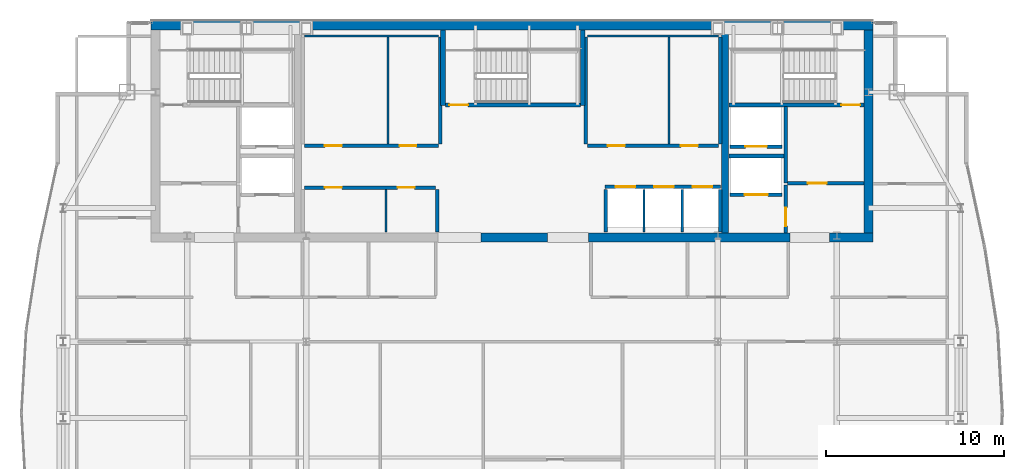
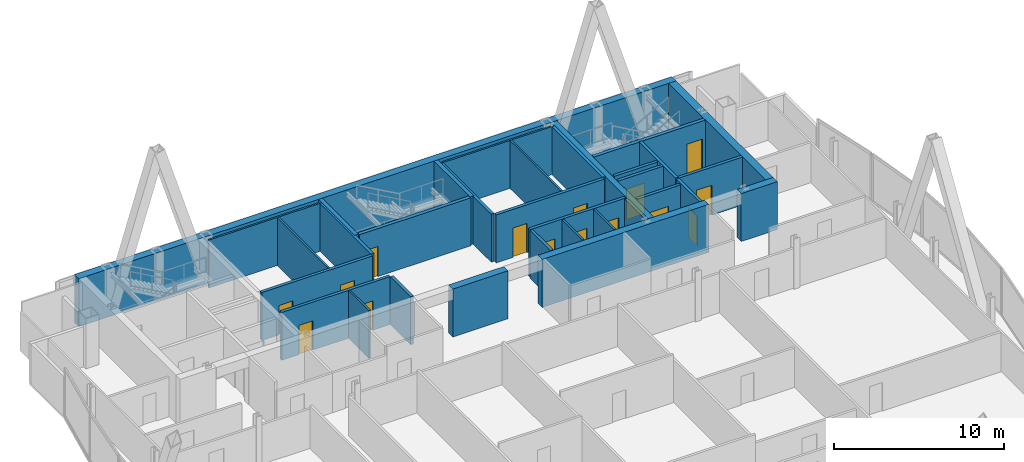
# One storey, part 26 of 29: 33 walls, 15 doors, 15 openings.
"""IFC4 building model written with IfcOpenShell, lengths in metres."""

from ifc_helpers import new_model, si_unit, direction, frame, frame_2d, origin, place, context, subcontext, project, spatial, rectangle, extrude, material, layer, layer_set, type_object, element, fill, save


model = new_model("IFC4")

# Units and contexts
model_context = context("Model", 3, precision=1e-05, world=origin(), true_north=direction((0.0, 1.0)))
body_context = subcontext(model_context, "Body", "Model", "MODEL_VIEW")
ifc_project = project(units=[si_unit("LENGTHUNIT", "METRE"), si_unit("AREAUNIT", "SQUARE_METRE"), si_unit("VOLUMEUNIT", "CUBIC_METRE"), si_unit("PLANEANGLEUNIT", "RADIAN"), si_unit("MASSUNIT", "GRAM", prefix="KILO")], contexts=[model_context])

# Site, building, storey
site_placement = place(None, origin())
site = spatial("IfcSite", under=ifc_project, at=site_placement, CompositionType="ELEMENT")
building_placement = place(site_placement, origin())
building = spatial("IfcBuilding", under=site, at=building_placement, Name="Khoronbel Lancet Exchange", CompositionType="ELEMENT")
storey_placement = place(building_placement, frame((0.0, 0.0, 314.60009765625)))
storey = spatial("IfcBuildingStorey", under=building, at=storey_placement, Name="L81", CompositionType="ELEMENT", Elevation=314.60009765625)

# Walls
ifc_material_1 = material(Name="Concrete C60/75", Category="concrete")
ifc_layer_1 = layer(ifc_material_1, 0.5, Name="Concrete C60/75")
ifc_layer_set_1 = layer_set([ifc_layer_1], Name="Concrete C60/75")
wall_type_1 = type_object("IfcWallType", Name="WL-CW4", PredefinedType="SHEAR", material=ifc_layer_set_1)
wall_1_placement = place(storey_placement, frame((16.199951171875, 53.449951171875, 0.0), z_axis=(0.0, 0.0, 1.0), x_axis=(1.0, 0.0, 0.0)))
element("IfcWall", 1, at=wall_1_placement, inside=storey, type_object=wall_type_1, Name="Level L81 rear core north shear wall", PredefinedType="SHEAR", context=body_context, shape_type="SweptSolid", body=[
    extrude(rectangle(XDim=40.5, YDim=0.5, at=frame_2d((20.25, 0.0))), origin(), (0.0, 0.0, 1.0), 3.43994140625),
])
wall_2_placement = place(storey_placement, frame((56.449951171875, 53.199951171875, 0.0), z_axis=(0.0, 0.0, 1.0), x_axis=(0.0, -1.0, 0.0)))
element("IfcWall", 2, at=wall_2_placement, inside=storey, type_object=wall_type_1, Name="Level L81 rear core east shear wall", PredefinedType="SHEAR", context=body_context, shape_type="SweptSolid", body=[
    extrude(rectangle(XDim=11.39990234375, YDim=0.5, at=frame_2d((5.699951171875, 0.0))), origin(), (0.0, 0.0, 1.0), 3.43994140625),
])
wall_3_placement = place(storey_placement, frame((38.449951171875, 41.550048828125, 0.0), z_axis=(0.0, 0.0, 1.0), x_axis=(-1.0, 0.0, 0.0)))
element("IfcWall", 3, at=wall_3_placement, inside=storey, type_object=wall_type_1, Name="Level L81 rear core south shear wall pier P3", PredefinedType="SHEAR", context=body_context, shape_type="SweptSolid", body=[
    extrude(rectangle(XDim=3.75, YDim=0.5, at=frame_2d((1.875, 0.0))), origin(), (0.0, 0.0, 1.0), 3.43994140625),
])
wall_4_placement = place(storey_placement, frame((52.050048828125, 41.550048828125, 0.0), z_axis=(0.0, 0.0, 1.0), x_axis=(-1.0, 0.0, 0.0)))
element("IfcWall", 4, at=wall_4_placement, inside=storey, type_object=wall_type_1, Name="Level L81 rear core south shear wall pier P4", PredefinedType="SHEAR", context=body_context, shape_type="SweptSolid", body=[
    extrude(rectangle(XDim=11.300048828125, YDim=0.5, at=frame_2d((5.64990234375, 0.0))), origin(), (0.0, 0.0, 1.0), 3.43994140625),
])
wall_5_placement = place(storey_placement, frame((56.699951171875, 41.550048828125, 0.0), z_axis=(0.0, 0.0, 1.0), x_axis=(-1.0, 0.0, 0.0)))
element("IfcWall", 5, at=wall_5_placement, inside=storey, type_object=wall_type_1, Name="Level L81 rear core south shear wall pier P5", PredefinedType="SHEAR", context=body_context, shape_type="SweptSolid", body=[
    extrude(rectangle(XDim=2.449951171875, YDim=0.5, at=frame_2d((1.22509765625, 0.0))), origin(), (0.0, 0.0, 1.0), 3.43994140625),
])
ifc_material_2 = material(Name="Fire-Rated Metal-Stud & Mineral-Wool Gypsum Partition 120 mm", Category="gypsum")
ifc_layer_2 = layer(ifc_material_2, 0.1201171875, Name="Fire-Rated Metal-Stud & Mineral-Wool Gypsum Partition 120 mm")
ifc_layer_set_2 = layer_set([ifc_layer_2], Name="Fire-Rated Metal-Stud & Mineral-Wool Gypsum Partition 120 mm")
wall_type_2 = type_object("IfcWallType", Name="WL-PRT120F", PredefinedType="PARTITIONING", material=ifc_layer_set_2)
wall_6_placement = place(storey_placement, frame((24.804931640625, 52.860107421875, 0.0), z_axis=(0.0, 0.0, 1.0), x_axis=(1.0, 0.0, 0.0)))
element("IfcWall", 6, at=wall_6_placement, inside=storey, type_object=wall_type_2, Name="Level L81 interior partition CW-PL-RN", PredefinedType="PARTITIONING", context=body_context, shape_type="SweptSolid", body=[
    extrude(rectangle(XDim=7.510009765625, YDim=0.1201171875, at=frame_2d((3.7548828125, 0.0))), origin(), (0.0, 0.0, 1.0), 3.43994140625),
])
wall_7_placement = place(storey_placement, frame((29.486328125, 46.804931640625, 0.0), z_axis=(0.0, 0.0, 1.0), x_axis=(0.0, 1.0, 0.0)))
element("IfcWall", 7, at=wall_7_placement, inside=storey, type_object=wall_type_2, Name="Level L81 interior partition CW-PL-RS2", PredefinedType="PARTITIONING", context=body_context, shape_type="SweptSolid", body=[
    extrude(rectangle(XDim=5.989990234375, YDim=0.1201171875, at=frame_2d((2.9951171875, 0.0))), origin(), (0.0, 0.0, 1.0), 3.43994140625),
])
wall_8_placement = place(storey_placement, frame((29.381103515625, 41.85009765625, 0.0), z_axis=(0.0, 0.0, 1.0), x_axis=(0.0, 1.0, 0.0)))
element("IfcWall", 8, at=wall_8_placement, inside=storey, type_object=wall_type_2, Name="Level L81 interior partition CW-PM-RS2", PredefinedType="PARTITIONING", context=body_context, shape_type="SweptSolid", body=[
    extrude(rectangle(XDim=2.39501953125, YDim=0.1201171875, at=frame_2d((1.197509765625, 0.0))), origin(), (0.0, 0.0, 1.0), 3.43994140625),
])
wall_9_placement = place(storey_placement, frame((40.68505859375, 52.860107421875, 0.0), z_axis=(0.0, 0.0, 1.0), x_axis=(1.0, 0.0, 0.0)))
element("IfcWall", 9, at=wall_9_placement, inside=storey, type_object=wall_type_2, Name="Level L81 interior partition CW-PH-RN", PredefinedType="PARTITIONING", context=body_context, shape_type="SweptSolid", body=[
    extrude(rectangle(XDim=7.349853515625, YDim=0.1201171875, at=frame_2d((3.6748046875, 0.0))), origin(), (0.0, 0.0, 1.0), 3.43994140625),
])
wall_10_placement = place(storey_placement, frame((45.26708984375, 46.804931640625, 0.0), z_axis=(0.0, 0.0, 1.0), x_axis=(0.0, 1.0, 0.0)))
element("IfcWall", 10, at=wall_10_placement, inside=storey, type_object=wall_type_2, Name="Level L81 interior partition CW-PH-RS2", PredefinedType="PARTITIONING", context=body_context, shape_type="SweptSolid", body=[
    extrude(rectangle(XDim=5.989990234375, YDim=0.1201171875, at=frame_2d((2.9951171875, 0.0))), origin(), (0.0, 0.0, 1.0), 3.43994140625),
])
for number, where, z_axis, x_axis, name in (
    (11, (43.860107421875, 41.85009765625, 0.0), (0.0, 0.0, 1.0), (0.0, 1.0, 0.0), "Level L81 interior partition CW-PX-D1"),
    (12, (46.0, 41.85009765625, 0.0), (0.0, 0.0, 1.0), (0.0, 1.0, 0.0), "Level L81 interior partition CW-PX-D2"),
):
    element("IfcWall", number, at=place(storey_placement, frame(where, z_axis=z_axis, x_axis=x_axis)), inside=storey, type_object=wall_type_2, Name=name, PredefinedType="PARTITIONING", context=body_context, shape_type="SweptSolid", body=[
        extrude(rectangle(XDim=2.39990234375, YDim=0.1201171875, at=frame_2d((1.199951171875, 0.0))), origin(), (0.0, 0.0, 1.0), 3.43994140625),
    ])

# Wall, openings, doors
ifc_material_3 = material(Name="Autoclaved Aerated Concrete Blockwork 200 mm", Category="masonry")
ifc_layer_3 = layer(ifc_material_3, 0.199951171875, Name="Autoclaved Aerated Concrete Blockwork 200 mm")
ifc_layer_set_3 = layer_set([ifc_layer_3], Name="Autoclaved Aerated Concrete Blockwork 200 mm")
wall_type_3 = type_object("IfcWallType", Name="WL-PRT200", PredefinedType="PARTITIONING", material=ifc_layer_set_3)
wall_11_placement = place(storey_placement, frame((41.679931640625, 44.39990234375, 0.0), z_axis=(0.0, 0.0, 1.0), x_axis=(1.0, 0.0, 0.0)))
wall_11 = element("IfcWall", 13, at=wall_11_placement, inside=storey, type_object=wall_type_3, Name="Level L81 elevator hoistway landing front wall PXE", PredefinedType="PARTITIONING", context=body_context, shape_type="SweptSolid", body=[
    extrude(rectangle(XDim=6.47998046875, YDim=0.199951171875, at=frame_2d((3.239990234375, 0.0))), origin(), (0.0, 0.0, 1.0), 3.43994140625),
])
opening_1_placement = place(wall_11_placement, frame((0.580078125, 0.0, 0.0)))
opening_1 = element("IfcOpeningElement", 14, at=opening_1_placement, cuts=wall_11, Name="Opening LD-PX1", PredefinedType="OPENING", context=body_context, shape_type="SweptSolid", body=[
    extrude(rectangle(XDim=1.10009765625, YDim=2.179931640625, at=frame_2d((0.550048828125, 1.08984375))), frame((0.0, 0.10986328125, 0.0), z_axis=(0.0, -1.0, 0.0), x_axis=(1.0, 0.0, 0.0)), (0.0, 0.0, 1.0), 0.219970703125),
])
opening_2_placement = place(wall_11_placement, frame((2.739990234375, 0.0, 0.0)))
opening_2 = element("IfcOpeningElement", 15, at=opening_2_placement, cuts=wall_11, Name="Opening LD-PX2", PredefinedType="OPENING", context=body_context, shape_type="SweptSolid", body=[
    extrude(rectangle(XDim=1.10009765625, YDim=2.179931640625, at=frame_2d((0.550048828125, 1.08984375))), frame((0.0, 0.10986328125, 0.0), z_axis=(0.0, -1.0, 0.0), x_axis=(1.0, 0.0, 0.0)), (0.0, 0.0, 1.0), 0.219970703125),
])
opening_3_placement = place(wall_11_placement, frame((4.89990234375, 0.0, 0.0)))
opening_3 = element("IfcOpeningElement", 16, at=opening_3_placement, cuts=wall_11, Name="Opening LD-PX3", PredefinedType="OPENING", context=body_context, shape_type="SweptSolid", body=[
    extrude(rectangle(XDim=1.10009765625, YDim=2.179931640625, at=frame_2d((0.550048828125, 1.08984375))), frame((0.0, 0.10986328125, 0.0), z_axis=(0.0, -1.0, 0.0), x_axis=(1.0, 0.0, 0.0)), (0.0, 0.0, 1.0), 0.219970703125),
])
ifc_material_4 = material(Name="Brushed Bronze Bi-Parting Elevator Landing Door", Category="steel")
door_type_1 = type_object("IfcDoorType", Name="DR-LD-PAX", OperationType="NOTDEFINED", PredefinedType="DOOR", material=ifc_material_4)
door_1_placement = place(opening_1_placement, origin())
door_1 = element("IfcDoor", 17, at=door_1_placement, inside=storey, type_object=door_type_1, Name="Elevator landing sliding door LD-PX1 L81", OperationType="SLIDING_TO_LEFT", OverallHeight=2.179931640625, OverallWidth=1.10009765625, PredefinedType="DOOR", context=body_context, shape_type="SweptSolid", body=[
    extrude(rectangle(XDim=1.10009765625, YDim=2.179931640625, at=frame_2d((0.550048828125, 1.08984375))), frame((0.0, 0.02490234375, 0.0), z_axis=(0.0, -1.0, 0.0), x_axis=(1.0, 0.0, 0.0)), (0.0, 0.0, 1.0), 0.050048828125),
])
fill(opening_1, door_1)
door_2_placement = place(opening_2_placement, origin())
door_2 = element("IfcDoor", 18, at=door_2_placement, inside=storey, type_object=door_type_1, Name="Elevator landing sliding door LD-PX2 L81", OperationType="SLIDING_TO_LEFT", OverallHeight=2.179931640625, OverallWidth=1.10009765625, PredefinedType="DOOR", context=body_context, shape_type="SweptSolid", body=[
    extrude(rectangle(XDim=1.10009765625, YDim=2.179931640625, at=frame_2d((0.550048828125, 1.08984375))), frame((0.0, 0.02490234375, 0.0), z_axis=(0.0, -1.0, 0.0), x_axis=(1.0, 0.0, 0.0)), (0.0, 0.0, 1.0), 0.050048828125),
])
fill(opening_2, door_2)
door_3_placement = place(opening_3_placement, origin())
door_3 = element("IfcDoor", 19, at=door_3_placement, inside=storey, type_object=door_type_1, Name="Elevator landing sliding door LD-PX3 L81", OperationType="SLIDING_TO_LEFT", OverallHeight=2.179931640625, OverallWidth=1.10009765625, PredefinedType="DOOR", context=body_context, shape_type="SweptSolid", body=[
    extrude(rectangle(XDim=1.10009765625, YDim=2.179931640625, at=frame_2d((0.550048828125, 1.08984375))), frame((0.0, 0.02490234375, 0.0), z_axis=(0.0, -1.0, 0.0), x_axis=(1.0, 0.0, 0.0)), (0.0, 0.0, 1.0), 0.050048828125),
])
fill(opening_3, door_3)

# Wall, opening, door
wall_12_placement = place(storey_placement, frame((51.610107421875, 43.949951171875, 0.0), z_axis=(0.0, 0.0, 1.0), x_axis=(-1.0, 0.0, 0.0)))
wall_12 = element("IfcWall", 20, at=wall_12_placement, inside=storey, type_object=wall_type_3, Name="Level L81 elevator hoistway landing front wall SVLE", PredefinedType="PARTITIONING", context=body_context, shape_type="SweptSolid", body=[
    extrude(rectangle(XDim=2.920166015625, YDim=0.199951171875, at=frame_2d((1.4599609375, 0.0))), origin(), (0.0, 0.0, 1.0), 3.43994140625),
])
opening_4_placement = place(wall_12_placement, frame((0.81005859375, 0.0, 0.0)))
opening_4 = element("IfcOpeningElement", 21, at=opening_4_placement, cuts=wall_12, Name="Opening LD-SVL2", PredefinedType="OPENING", context=body_context, shape_type="SweptSolid", body=[
    extrude(rectangle(XDim=1.300048828125, YDim=2.179931640625, at=frame_2d((0.64990234375, 1.08984375))), frame((0.0, 0.10986328125, 0.0), z_axis=(0.0, -1.0, 0.0), x_axis=(1.0, 0.0, 0.0)), (0.0, 0.0, 1.0), 0.219970703125),
])
ifc_material_5 = material(Name="Heavy-Duty Bi-Parting Goods Lift Landing Door", Category="steel")
door_type_2 = type_object("IfcDoorType", Name="DR-LD-SVL", OperationType="NOTDEFINED", PredefinedType="DOOR", material=ifc_material_5)
door_4_placement = place(opening_4_placement, origin())
door_4 = element("IfcDoor", 22, at=door_4_placement, inside=storey, type_object=door_type_2, Name="Elevator landing sliding door LD-SVL2 L81", OperationType="SLIDING_TO_LEFT", OverallHeight=2.179931640625, OverallWidth=1.300048828125, PredefinedType="DOOR", context=body_context, shape_type="SweptSolid", body=[
    extrude(rectangle(XDim=1.300048828125, YDim=2.179931640625, at=frame_2d((0.64990234375, 1.08984375))), frame((0.0, 0.02490234375, 0.0), z_axis=(0.0, -1.0, 0.0), x_axis=(1.0, 0.0, 0.0)), (0.0, 0.0, 1.0), 0.050048828125),
])
fill(opening_4, door_4)

wall_13_placement = place(storey_placement, frame((51.610107421875, 46.64990234375, 0.0), z_axis=(0.0, 0.0, 1.0), x_axis=(-1.0, 0.0, 0.0)))
wall_13 = element("IfcWall", 23, at=wall_13_placement, inside=storey, type_object=wall_type_3, Name="Level L81 elevator hoistway landing front wall FFLE", PredefinedType="PARTITIONING", context=body_context, shape_type="SweptSolid", body=[
    extrude(rectangle(XDim=2.920166015625, YDim=0.199951171875, at=frame_2d((1.4599609375, 0.0))), origin(), (0.0, 0.0, 1.0), 3.43994140625),
])
opening_5_placement = place(wall_13_placement, frame((0.860107421875, 0.0, 0.0)))
opening_5 = element("IfcOpeningElement", 24, at=opening_5_placement, cuts=wall_13, Name="Opening LD-FFL2", PredefinedType="OPENING", context=body_context, shape_type="SweptSolid", body=[
    extrude(rectangle(XDim=1.199951171875, YDim=2.179931640625, at=frame_2d((0.60009765625, 1.08984375))), frame((0.0, 0.10986328125, 0.0), z_axis=(0.0, -1.0, 0.0), x_axis=(1.0, 0.0, 0.0)), (0.0, 0.0, 1.0), 0.219970703125),
])
ifc_material_6 = material(Name="Fire-Rated Stainless Bi-Parting Firefighting Lift Door", Category="steel")
door_type_3 = type_object("IfcDoorType", Name="DR-LD-FFL", OperationType="NOTDEFINED", PredefinedType="DOOR", material=ifc_material_6)
door_5_placement = place(opening_5_placement, origin())
door_5 = element("IfcDoor", 25, at=door_5_placement, inside=storey, type_object=door_type_3, Name="Elevator landing sliding door LD-FFL2 L81", OperationType="SLIDING_TO_LEFT", OverallHeight=2.179931640625, OverallWidth=1.199951171875, PredefinedType="DOOR", context=body_context, shape_type="SweptSolid", body=[
    extrude(rectangle(XDim=1.199951171875, YDim=2.179931640625, at=frame_2d((0.60009765625, 1.08984375))), frame((0.0, 0.02490234375, 0.0), z_axis=(0.0, -1.0, 0.0), x_axis=(1.0, 0.0, 0.0)), (0.0, 0.0, 1.0), 0.050048828125),
])
fill(opening_5, door_5)

# Wall
wall_14_placement = place(storey_placement, frame((51.800048828125, 44.60009765625, 0.0), z_axis=(0.0, 0.0, 1.0), x_axis=(0.0, 1.0, 0.0)))
element("IfcWall", 26, at=wall_14_placement, inside=storey, type_object=wall_type_3, Name="Level L81 interior partition CW-FFLE-W", PredefinedType="PARTITIONING", context=body_context, shape_type="SweptSolid", body=[
    extrude(rectangle(XDim=4.2998046875, YDim=0.199951171875, at=frame_2d((2.14990234375, 0.0))), origin(), (0.0, 0.0, 1.0), 3.43994140625),
])

# Wall, opening, door
wall_15_placement = place(storey_placement, frame((51.89990234375, 44.60009765625, 0.0), z_axis=(0.0, 0.0, 1.0), x_axis=(1.0, 0.0, 0.0)))
wall_15 = element("IfcWall", 27, at=wall_15_placement, inside=storey, type_object=wall_type_3, Name="Level L81 interior partition CW-FFLE-S", PredefinedType="PARTITIONING", context=body_context, shape_type="SweptSolid", body=[
    extrude(rectangle(XDim=4.300048828125, YDim=0.199951171875, at=frame_2d((2.14990234375, 0.0))), origin(), (0.0, 0.0, 1.0), 3.43994140625),
])
opening_6_placement = place(wall_15_placement, frame((1.14990234375, 0.0, 0.0)))
opening_6 = element("IfcOpeningElement", 28, at=opening_6_placement, cuts=wall_15, Name="Opening FD1", PredefinedType="OPENING", context=body_context, shape_type="SweptSolid", body=[
    extrude(rectangle(XDim=1.050048828125, YDim=2.14990234375, at=frame_2d((0.52490234375, 1.074951171875))), frame((0.0, 0.10986328125, 0.0), z_axis=(0.0, -1.0, 0.0), x_axis=(1.0, 0.0, 0.0)), (0.0, 0.0, 1.0), 0.219970703125),
])
ifc_material_7 = material(Name="Fire-Rated Painted Steel Door Assembly", Category="steel")
door_type_4 = type_object("IfcDoorType", Name="DR-FD1", OperationType="NOTDEFINED", PredefinedType="DOOR", material=ifc_material_7)
door_6_placement = place(opening_6_placement, origin())
door_6 = element("IfcDoor", 29, at=door_6_placement, inside=storey, type_object=door_type_4, Name="East firefighting lobby FD90S door L81-1", OperationType="SINGLE_SWING_LEFT", OverallHeight=2.14990234375, OverallWidth=1.050048828125, PredefinedType="DOOR", context=body_context, shape_type="SweptSolid", body=[
    extrude(rectangle(XDim=1.050048828125, YDim=2.14990234375, at=frame_2d((0.52490234375, 1.074951171875))), frame((0.0, 0.02490234375, 0.0), z_axis=(0.0, -1.0, 0.0), x_axis=(1.0, 0.0, 0.0)), (0.0, 0.0, 1.0), 0.050048828125),
])
fill(opening_6, door_6)

# Wall
wall_16_placement = place(storey_placement, frame((48.6298828125, 46.1201171875, 0.0), z_axis=(0.0, 0.0, 1.0), x_axis=(1.0, 0.0, 0.0)))
element("IfcWall", 30, at=wall_16_placement, inside=storey, type_object=wall_type_3, Name="Level L81 interior partition CW-FFL2-S", PredefinedType="PARTITIONING", context=body_context, shape_type="SweptSolid", body=[
    extrude(rectangle(XDim=3.070068359375, YDim=0.199951171875, at=frame_2d((1.53515625, 0.0))), origin(), (0.0, 0.0, 1.0), 3.43994140625),
])

# Wall, opening, door
wall_17_placement = place(storey_placement, frame((51.800048828125, 41.800048828125, 0.0), z_axis=(0.0, 0.0, 1.0), x_axis=(0.0, 1.0, 0.0)))
wall_17 = element("IfcWall", 31, at=wall_17_placement, inside=storey, type_object=wall_type_3, Name="Level L81 interior partition CW-SVLE-E", PredefinedType="PARTITIONING", context=body_context, shape_type="SweptSolid", body=[
    extrude(rectangle(XDim=2.695068359375, YDim=0.199951171875, at=frame_2d((1.34765625, 0.0))), origin(), (0.0, 0.0, 1.0), 3.43994140625),
])
opening_7_placement = place(wall_17_placement, frame((0.3798828125, 0.0, 0.0)))
opening_7 = element("IfcOpeningElement", 32, at=opening_7_placement, cuts=wall_17, Name="Opening FD1", PredefinedType="OPENING", context=body_context, shape_type="SweptSolid", body=[
    extrude(rectangle(XDim=1.050048828125, YDim=2.14990234375, at=frame_2d((0.52490234375, 1.074951171875))), frame((0.0, 0.10986328125, 0.0), z_axis=(0.0, -1.0, 0.0), x_axis=(1.0, 0.0, 0.0)), (0.0, 0.0, 1.0), 0.219970703125),
])
door_7_placement = place(opening_7_placement, origin())
door_7 = element("IfcDoor", 33, at=door_7_placement, inside=storey, type_object=door_type_4, Name="East service lift lobby door L81-1", OperationType="SINGLE_SWING_RIGHT", OverallHeight=2.14990234375, OverallWidth=1.050048828125, PredefinedType="DOOR", context=body_context, shape_type="SweptSolid", body=[
    extrude(rectangle(XDim=1.050048828125, YDim=2.14990234375, at=frame_2d((0.52490234375, 1.074951171875))), frame((0.0, 0.02490234375, 0.0), z_axis=(0.0, -1.0, 0.0), x_axis=(1.0, 0.0, 0.0)), (0.0, 0.0, 1.0), 0.050048828125),
])
fill(opening_7, door_7)

# Wall
wall_18_placement = place(storey_placement, frame((32.419921875, 46.804931640625, 0.0), z_axis=(0.0, 0.0, 1.0), x_axis=(0.0, 1.0, 0.0)))
element("IfcWall", 34, at=wall_18_placement, inside=storey, type_object=wall_type_3, Name="Level L81 interior partition CW-PL-RE", PredefinedType="PARTITIONING", context=body_context, shape_type="SweptSolid", body=[
    extrude(rectangle(XDim=5.989990234375, YDim=0.199951171875, at=frame_2d((2.9951171875, 0.0))), origin(), (0.0, 0.0, 1.0), 3.43994140625),
])

# Wall, openings, doors
wall_19_placement = place(storey_placement, frame((24.804931640625, 46.699951171875, 0.0), z_axis=(0.0, 0.0, 1.0), x_axis=(1.0, 0.0, 0.0)))
wall_19 = element("IfcWall", 35, at=wall_19_placement, inside=storey, type_object=wall_type_3, Name="Level L81 interior partition CW-PL-RF", PredefinedType="PARTITIONING", context=body_context, shape_type="SweptSolid", body=[
    extrude(rectangle(XDim=7.510009765625, YDim=0.199951171875, at=frame_2d((3.7548828125, 0.0))), origin(), (0.0, 0.0, 1.0), 3.43994140625),
])
opening_8_placement = place(wall_19_placement, frame((1.14990234375, 0.0, 0.0)))
opening_8 = element("IfcOpeningElement", 36, at=opening_8_placement, cuts=wall_19, Name="Opening FD3", PredefinedType="OPENING", context=body_context, shape_type="SweptSolid", body=[
    extrude(rectangle(XDim=0.949951171875, YDim=2.10009765625, at=frame_2d((0.47509765625, 1.050048828125))), frame((0.0, 0.10986328125, 0.0), z_axis=(0.0, -1.0, 0.0), x_axis=(1.0, 0.0, 0.0)), (0.0, 0.0, 1.0), 0.219970703125),
])
opening_9_placement = place(wall_19_placement, frame((5.33642578125, 0.0, 0.0)))
opening_9 = element("IfcOpeningElement", 37, at=opening_9_placement, cuts=wall_19, Name="Opening FD3", PredefinedType="OPENING", context=body_context, shape_type="SweptSolid", body=[
    extrude(rectangle(XDim=0.949951171875, YDim=2.10009765625, at=frame_2d((0.47509765625, 1.050048828125))), frame((0.0, 0.10986328125, 0.0), z_axis=(0.0, -1.0, 0.0), x_axis=(1.0, 0.0, 0.0)), (0.0, 0.0, 1.0), 0.219970703125),
])
ifc_material_8 = material(Name="Fire-Rated Steel Plant & Riser Door Assembly", Category="steel")
door_type_5 = type_object("IfcDoorType", Name="DR-FD3", OperationType="NOTDEFINED", PredefinedType="DOOR", material=ifc_material_8)
door_8_placement = place(opening_8_placement, origin())
door_8 = element("IfcDoor", 38, at=door_8_placement, inside=storey, type_object=door_type_5, Name="Reclaimed PL C door L81-1", OperationType="SINGLE_SWING_LEFT", OverallHeight=2.10009765625, OverallWidth=0.949951171875, PredefinedType="DOOR", context=body_context, shape_type="SweptSolid", body=[
    extrude(rectangle(XDim=0.949951171875, YDim=2.10009765625, at=frame_2d((0.47509765625, 1.050048828125))), frame((0.0, 0.02490234375, 0.0), z_axis=(0.0, -1.0, 0.0), x_axis=(1.0, 0.0, 0.0)), (0.0, 0.0, 1.0), 0.050048828125),
])
fill(opening_8, door_8)
door_9_placement = place(opening_9_placement, origin())
door_9 = element("IfcDoor", 39, at=door_9_placement, inside=storey, type_object=door_type_5, Name="Reclaimed PL D door L81-2", OperationType="SINGLE_SWING_RIGHT", OverallHeight=2.10009765625, OverallWidth=0.949951171875, PredefinedType="DOOR", context=body_context, shape_type="SweptSolid", body=[
    extrude(rectangle(XDim=0.949951171875, YDim=2.10009765625, at=frame_2d((0.47509765625, 1.050048828125))), frame((0.0, 0.02490234375, 0.0), z_axis=(0.0, -1.0, 0.0), x_axis=(1.0, 0.0, 0.0)), (0.0, 0.0, 1.0), 0.050048828125),
])
fill(opening_9, door_9)

# Wall
wall_20_placement = place(storey_placement, frame((32.25, 41.85009765625, 0.0), z_axis=(0.0, 0.0, 1.0), x_axis=(0.0, 1.0, 0.0)))
element("IfcWall", 40, at=wall_20_placement, inside=storey, type_object=wall_type_3, Name="Level L81 interior partition CW-PM-RE", PredefinedType="PARTITIONING", context=body_context, shape_type="SweptSolid", body=[
    extrude(rectangle(XDim=2.39501953125, YDim=0.199951171875, at=frame_2d((1.197509765625, 0.0))), origin(), (0.0, 0.0, 1.0), 3.43994140625),
])

# Wall, openings, doors
wall_21_placement = place(storey_placement, frame((24.804931640625, 44.35009765625, 0.0), z_axis=(0.0, 0.0, 1.0), x_axis=(1.0, 0.0, 0.0)))
wall_21 = element("IfcWall", 41, at=wall_21_placement, inside=storey, type_object=wall_type_3, Name="Level L81 interior partition CW-PM-RF", PredefinedType="PARTITIONING", context=body_context, shape_type="SweptSolid", body=[
    extrude(rectangle(XDim=7.340087890625, YDim=0.199951171875, at=frame_2d((3.669921875, 0.0))), origin(), (0.0, 0.0, 1.0), 3.43994140625),
])
opening_10_placement = place(wall_21_placement, frame((1.14990234375, 0.0, 0.0)))
opening_10 = element("IfcOpeningElement", 42, at=opening_10_placement, cuts=wall_21, Name="Opening FD3", PredefinedType="OPENING", context=body_context, shape_type="SweptSolid", body=[
    extrude(rectangle(XDim=0.949951171875, YDim=2.10009765625, at=frame_2d((0.47509765625, 1.050048828125))), frame((0.0, 0.10986328125, 0.0), z_axis=(0.0, -1.0, 0.0), x_axis=(1.0, 0.0, 0.0)), (0.0, 0.0, 1.0), 0.219970703125),
])
opening_11_placement = place(wall_21_placement, frame((5.23095703125, 0.0, 0.0)))
opening_11 = element("IfcOpeningElement", 43, at=opening_11_placement, cuts=wall_21, Name="Opening FD3", PredefinedType="OPENING", context=body_context, shape_type="SweptSolid", body=[
    extrude(rectangle(XDim=0.949951171875, YDim=2.10009765625, at=frame_2d((0.47509765625, 1.050048828125))), frame((0.0, 0.10986328125, 0.0), z_axis=(0.0, -1.0, 0.0), x_axis=(1.0, 0.0, 0.0)), (0.0, 0.0, 1.0), 0.219970703125),
])
door_10_placement = place(opening_10_placement, origin())
door_10 = element("IfcDoor", 44, at=door_10_placement, inside=storey, type_object=door_type_5, Name="Reclaimed PM C door L81-1", OperationType="SINGLE_SWING_LEFT", OverallHeight=2.10009765625, OverallWidth=0.949951171875, PredefinedType="DOOR", context=body_context, shape_type="SweptSolid", body=[
    extrude(rectangle(XDim=0.949951171875, YDim=2.10009765625, at=frame_2d((0.47509765625, 1.050048828125))), frame((0.0, 0.02490234375, 0.0), z_axis=(0.0, -1.0, 0.0), x_axis=(1.0, 0.0, 0.0)), (0.0, 0.0, 1.0), 0.050048828125),
])
fill(opening_10, door_10)
door_11_placement = place(opening_11_placement, origin())
door_11 = element("IfcDoor", 45, at=door_11_placement, inside=storey, type_object=door_type_5, Name="Reclaimed PM D door L81-2", OperationType="SINGLE_SWING_RIGHT", OverallHeight=2.10009765625, OverallWidth=0.949951171875, PredefinedType="DOOR", context=body_context, shape_type="SweptSolid", body=[
    extrude(rectangle(XDim=0.949951171875, YDim=2.10009765625, at=frame_2d((0.47509765625, 1.050048828125))), frame((0.0, 0.02490234375, 0.0), z_axis=(0.0, -1.0, 0.0), x_axis=(1.0, 0.0, 0.0)), (0.0, 0.0, 1.0), 0.050048828125),
])
fill(opening_11, door_11)

# Walls
for number, where, z_axis, x_axis, name in (
    (46, (40.580078125, 46.804931640625, 0.0), (0.0, 0.0, 1.0), (0.0, 1.0, 0.0), "Level L81 interior partition CW-PH-RW"),
    (47, (48.139892578125, 46.804931640625, 0.0), (0.0, 0.0, 1.0), (0.0, 1.0, 0.0), "Level L81 interior partition CW-PH-RE"),
):
    element("IfcWall", number, at=place(storey_placement, frame(where, z_axis=z_axis, x_axis=x_axis)), inside=storey, type_object=wall_type_3, Name=name, PredefinedType="PARTITIONING", context=body_context, shape_type="SweptSolid", body=[
        extrude(rectangle(XDim=5.989990234375, YDim=0.199951171875, at=frame_2d((2.9951171875, 0.0))), origin(), (0.0, 0.0, 1.0), 3.43994140625),
    ])

# Wall, openings, doors
wall_22_placement = place(storey_placement, frame((40.68505859375, 46.699951171875, 0.0), z_axis=(0.0, 0.0, 1.0), x_axis=(1.0, 0.0, 0.0)))
wall_22 = element("IfcWall", 48, at=wall_22_placement, inside=storey, type_object=wall_type_3, Name="Level L81 interior partition CW-PH-RF", PredefinedType="PARTITIONING", context=body_context, shape_type="SweptSolid", body=[
    extrude(rectangle(XDim=7.349853515625, YDim=0.199951171875, at=frame_2d((3.6748046875, 0.0))), origin(), (0.0, 0.0, 1.0), 3.43994140625),
])
opening_12_placement = place(wall_22_placement, frame((1.14990234375, 0.0, 0.0)))
opening_12 = element("IfcOpeningElement", 49, at=opening_12_placement, cuts=wall_22, Name="Opening FD3", PredefinedType="OPENING", context=body_context, shape_type="SweptSolid", body=[
    extrude(rectangle(XDim=0.949951171875, YDim=2.10009765625, at=frame_2d((0.47509765625, 1.050048828125))), frame((0.0, 0.10986328125, 0.0), z_axis=(0.0, -1.0, 0.0), x_axis=(1.0, 0.0, 0.0)), (0.0, 0.0, 1.0), 0.219970703125),
])
opening_13_placement = place(wall_22_placement, frame((5.2373046875, 0.0, 0.0)))
opening_13 = element("IfcOpeningElement", 50, at=opening_13_placement, cuts=wall_22, Name="Opening FD3", PredefinedType="OPENING", context=body_context, shape_type="SweptSolid", body=[
    extrude(rectangle(XDim=0.949951171875, YDim=2.10009765625, at=frame_2d((0.47509765625, 1.050048828125))), frame((0.0, 0.10986328125, 0.0), z_axis=(0.0, -1.0, 0.0), x_axis=(1.0, 0.0, 0.0)), (0.0, 0.0, 1.0), 0.219970703125),
])
door_12_placement = place(opening_12_placement, origin())
door_12 = element("IfcDoor", 51, at=door_12_placement, inside=storey, type_object=door_type_5, Name="Reclaimed PH C door L81-1", OperationType="SINGLE_SWING_LEFT", OverallHeight=2.10009765625, OverallWidth=0.949951171875, PredefinedType="DOOR", context=body_context, shape_type="SweptSolid", body=[
    extrude(rectangle(XDim=0.949951171875, YDim=2.10009765625, at=frame_2d((0.47509765625, 1.050048828125))), frame((0.0, 0.02490234375, 0.0), z_axis=(0.0, -1.0, 0.0), x_axis=(1.0, 0.0, 0.0)), (0.0, 0.0, 1.0), 0.050048828125),
])
fill(opening_12, door_12)
door_13_placement = place(opening_13_placement, origin())
door_13 = element("IfcDoor", 52, at=door_13_placement, inside=storey, type_object=door_type_5, Name="Reclaimed PH D door L81-2", OperationType="SINGLE_SWING_RIGHT", OverallHeight=2.10009765625, OverallWidth=0.949951171875, PredefinedType="DOOR", context=body_context, shape_type="SweptSolid", body=[
    extrude(rectangle(XDim=0.949951171875, YDim=2.10009765625, at=frame_2d((0.47509765625, 1.050048828125))), frame((0.0, 0.02490234375, 0.0), z_axis=(0.0, -1.0, 0.0), x_axis=(1.0, 0.0, 0.0)), (0.0, 0.0, 1.0), 0.050048828125),
])
fill(opening_13, door_13)

# Walls
for number, where, z_axis, x_axis, name in (
    (53, (41.719970703125, 41.85009765625, 0.0), (0.0, 0.0, 1.0), (0.0, 1.0, 0.0), "Level L81 interior partition CW-PX-W"),
    (54, (48.139892578125, 41.85009765625, 0.0), (0.0, 0.0, 1.0), (0.0, 1.0, 0.0), "Level L81 interior partition CW-PX-E"),
):
    element("IfcWall", number, at=place(storey_placement, frame(where, z_axis=z_axis, x_axis=x_axis)), inside=storey, type_object=wall_type_3, Name=name, PredefinedType="PARTITIONING", context=body_context, shape_type="SweptSolid", body=[
        extrude(rectangle(XDim=2.39990234375, YDim=0.199951171875, at=frame_2d((1.199951171875, 0.0))), origin(), (0.0, 0.0, 1.0), 3.43994140625),
    ])
ifc_layer_4 = layer(ifc_material_1, 0.39990234375, Name="Concrete C60/75")
ifc_layer_set_4 = layer_set([ifc_layer_4], Name="Concrete C60/75")
wall_type_4 = type_object("IfcWallType", Name="WL-SW2", PredefinedType="SHEAR", material=ifc_layer_set_4)
wall_23_placement = place(storey_placement, frame((48.39990234375, 41.800048828125, 0.0), z_axis=(0.0, 0.0, 1.0), x_axis=(0.0, 1.0, 0.0)))
element("IfcWall", 55, at=wall_23_placement, inside=storey, type_object=wall_type_4, Name="Level L81 rear core internal spine shear wall IE", PredefinedType="SHEAR", context=body_context, shape_type="SweptSolid", body=[
    extrude(rectangle(XDim=11.39990234375, YDim=0.39990234375, at=frame_2d((5.699951171875, 0.0))), origin(), (0.0, 0.0, 1.0), 3.43994140625),
])
ifc_layer_5 = layer(ifc_material_1, 0.260009765625, Name="Concrete C60/75")
ifc_layer_set_5 = layer_set([ifc_layer_5], Name="Concrete C60/75")
wall_type_5 = type_object("IfcWallType", Name="WL-SW3", PredefinedType="SHEAR", material=ifc_layer_set_5)
for number, where, z_axis, x_axis, name in (
    (56, (32.580078125, 48.949951171875, 0.0), (0.0, 0.0, 1.0), (0.0, 1.0, 0.0), "Level L81 central stairwell structural shear wall ST3W"),
    (57, (40.419921875, 48.949951171875, 0.0), (0.0, 0.0, 1.0), (0.0, 1.0, 0.0), "Level L81 central stairwell structural shear wall ST3E"),
):
    element("IfcWall", number, at=place(storey_placement, frame(where, z_axis=z_axis, x_axis=x_axis)), inside=storey, type_object=wall_type_5, Name=name, PredefinedType="SHEAR", context=body_context, shape_type="SweptSolid", body=[
        extrude(rectangle(XDim=4.25, YDim=0.260009765625, at=frame_2d((2.125, 0.0))), origin(), (0.0, 0.0, 1.0), 3.43994140625),
    ])

# Wall, opening, door
wall_24_placement = place(storey_placement, frame((48.6298828125, 48.97998046875, 0.0), z_axis=(0.0, 0.0, 1.0), x_axis=(1.0, 0.0, 0.0)))
wall_24 = element("IfcWall", 58, at=wall_24_placement, inside=storey, type_object=wall_type_5, Name="Level L81 east stairwell structural south wall", PredefinedType="SHEAR", context=body_context, shape_type="SweptSolid", body=[
    extrude(rectangle(XDim=7.570068359375, YDim=0.239990234375, at=frame_2d((3.78515625, 0.0))), origin(), (0.0, 0.0, 1.0), 3.43994140625),
])
opening_14_placement = place(wall_24_placement, frame((6.300048828125, 0.0, 0.0)))
opening_14 = element("IfcOpeningElement", 59, at=opening_14_placement, cuts=wall_24, Name="Opening SD1", PredefinedType="OPENING", context=body_context, shape_type="SweptSolid", body=[
    extrude(rectangle(XDim=1.050048828125, YDim=2.14990234375, at=frame_2d((0.52490234375, 1.074951171875))), frame((0.0, 0.1298828125, 0.0), z_axis=(0.0, -1.0, 0.0), x_axis=(1.0, 0.0, 0.0)), (0.0, 0.0, 1.0), 0.260009765625),
])
ifc_material_9 = material(Name="Fire-Rated Steel Stairwell Door Assembly", Category="steel")
door_type_6 = type_object("IfcDoorType", Name="DR-SD1", OperationType="NOTDEFINED", PredefinedType="DOOR", material=ifc_material_9)
door_14_placement = place(opening_14_placement, origin())
door_14 = element("IfcDoor", 60, at=door_14_placement, inside=storey, type_object=door_type_6, Name="Protected exit stair ST2 door L81", OperationType="SINGLE_SWING_RIGHT", OverallHeight=2.14990234375, OverallWidth=1.050048828125, PredefinedType="DOOR", context=body_context, shape_type="SweptSolid", body=[
    extrude(rectangle(XDim=1.050048828125, YDim=2.14990234375, at=frame_2d((0.52490234375, 1.074951171875))), frame((0.0, 0.02490234375, 0.0), z_axis=(0.0, -1.0, 0.0), x_axis=(1.0, 0.0, 0.0)), (0.0, 0.0, 1.0), 0.050048828125),
])
fill(opening_14, door_14)

wall_25_placement = place(storey_placement, frame((32.719970703125, 48.97998046875, 0.0), z_axis=(0.0, 0.0, 1.0), x_axis=(1.0, 0.0, 0.0)))
wall_25 = element("IfcWall", 61, at=wall_25_placement, inside=storey, type_object=wall_type_5, Name="Level L81 central stairwell structural south wall", PredefinedType="SHEAR", context=body_context, shape_type="SweptSolid", body=[
    extrude(rectangle(XDim=7.56005859375, YDim=0.239990234375, at=frame_2d((3.780029296875, 0.0))), origin(), (0.0, 0.0, 1.0), 3.43994140625),
])
opening_15_placement = place(wall_25_placement, frame((0.219970703125, 0.0, 0.0)))
opening_15 = element("IfcOpeningElement", 62, at=opening_15_placement, cuts=wall_25, Name="Opening SD1", PredefinedType="OPENING", context=body_context, shape_type="SweptSolid", body=[
    extrude(rectangle(XDim=1.050048828125, YDim=2.14990234375, at=frame_2d((0.52490234375, 1.074951171875))), frame((0.0, 0.1298828125, 0.0), z_axis=(0.0, -1.0, 0.0), x_axis=(1.0, 0.0, 0.0)), (0.0, 0.0, 1.0), 0.260009765625),
])
door_15_placement = place(opening_15_placement, origin())
door_15 = element("IfcDoor", 63, at=door_15_placement, inside=storey, type_object=door_type_6, Name="Protected exit stair ST3 door L81", OperationType="SINGLE_SWING_LEFT", OverallHeight=2.14990234375, OverallWidth=1.050048828125, PredefinedType="DOOR", context=body_context, shape_type="SweptSolid", body=[
    extrude(rectangle(XDim=1.050048828125, YDim=2.14990234375, at=frame_2d((0.52490234375, 1.074951171875))), frame((0.0, 0.02490234375, 0.0), z_axis=(0.0, -1.0, 0.0), x_axis=(1.0, 0.0, 0.0)), (0.0, 0.0, 1.0), 0.050048828125),
])
fill(opening_15, door_15)

save(model, "model.ifc")
